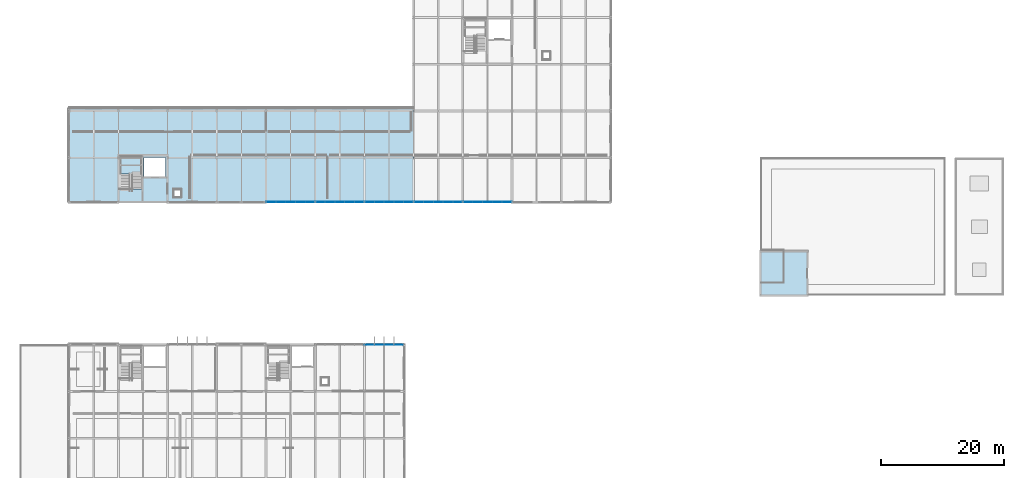
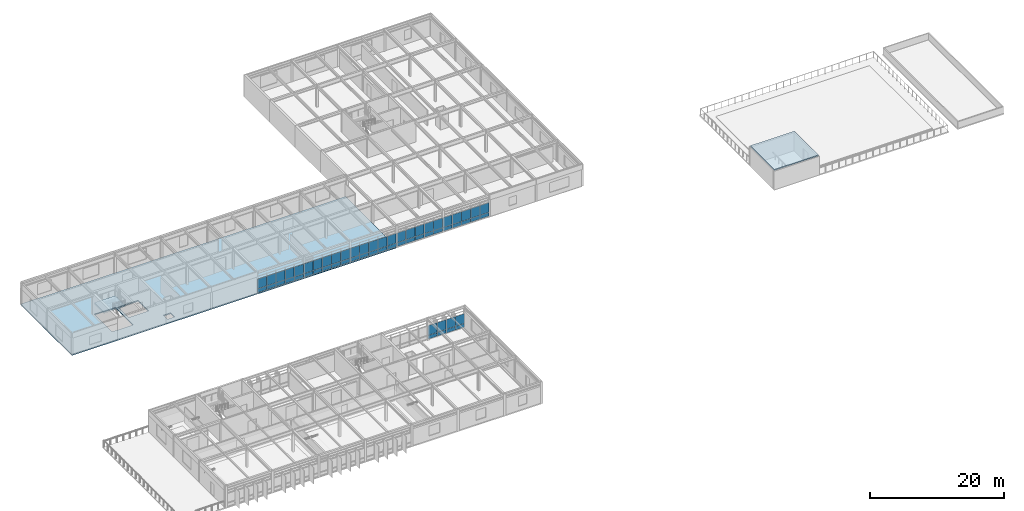
# One storey, part 29 of 45: 58 plates, 3 slabs, 7 elements without a shape of their own.
"""IFC4 building model written with IfcOpenShell, lengths in metres."""

from ifc_helpers import new_model, si_unit, direction, frame, origin, origin_2d, place, context, subcontext, project, spatial, polyline, rectangle, outline, extrude, material, layer, layer_set, type_object, element, aggregate, save


model = new_model("IFC4")

# Units and contexts
model_context = context("Model", 3, precision=1e-05, world=origin(), true_north=direction((0.0, 1.0)))
body_context = subcontext(model_context, "Body", "Model", "MODEL_VIEW")
ifc_project = project(units=[si_unit("LENGTHUNIT", "METRE"), si_unit("AREAUNIT", "SQUARE_METRE"), si_unit("VOLUMEUNIT", "CUBIC_METRE"), si_unit("PLANEANGLEUNIT", "RADIAN"), si_unit("MASSUNIT", "GRAM", prefix="KILO")], contexts=[model_context])

# Site, building, storey
site_placement = place(None, origin())
site = spatial("IfcSite", under=ifc_project, at=site_placement, CompositionType="ELEMENT")
building_placement = place(site_placement, origin())
building = spatial("IfcBuilding", under=site, at=building_placement, Name="Zulena Civic Courthouse", CompositionType="ELEMENT")
storey_placement = place(building_placement, frame((0.0, 0.0, 29.39990234375)))
storey = spatial("IfcBuildingStorey", under=building, at=storey_placement, Name="L06", CompositionType="ELEMENT", Elevation=29.39990234375)

# Curtain wall, plates
ifc_material_1 = material(Name="Double-silver low-E laminated solar-control glass", Category="glass")
curtain_wall_type_1 = type_object("IfcCurtainWallType", Name="CW_6352x3090", PredefinedType="USERDEFINED", material=ifc_material_1)
curtain_wall_1_placement = place(storey_placement, origin())
curtain_wall_1 = element("IfcCurtainWall", 1, at=curtain_wall_1_placement, inside=storey, type_object=curtain_wall_type_1, Name="cw:V2:L06:1:6", ObjectType="UNITISED CURTAIN WALL", PredefinedType="USERDEFINED")
ifc_material_2 = material(Name="Ceramic-fritted insulated spandrel glass", Category="glass")
ifc_layer_1 = layer(ifc_material_2, 0.0458984375)
ifc_layer_set_1 = layer_set([ifc_layer_1], Name="Ceramic-fritted insulated spandrel glass")
plate_type_1 = type_object("IfcPlateType", Name="CWPanel_Spandrel_46", PredefinedType="CURTAIN_PANEL", material=ifc_layer_set_1)
plate_1_placement = place(storey_placement, frame((60.818115234375, 22.800048828125, 0.070068359375), z_axis=(0.0, 0.0, 1.0), x_axis=(1.0, 0.0, 0.0)))
plate_1 = element("IfcPlate", 2, at=plate_1_placement, type_object=plate_type_1, Name="cw:V2:L06:1:6:panS:0", PredefinedType="CURTAIN_PANEL", context=body_context, shape_type="SweptSolid", body=[
    extrude(rectangle(XDim=1.5380859375, YDim=0.0458984375, at=origin_2d()), origin(), (0.0, 0.0, 1.0), 0.669921875),
])
plate_2_placement = place(storey_placement, frame((62.406005859375, 22.800048828125, 0.070068359375), z_axis=(0.0, 0.0, 1.0), x_axis=(1.0, 0.0, 0.0)))
plate_2 = element("IfcPlate", 3, at=plate_2_placement, type_object=plate_type_1, Name="cw:V2:L06:1:6:panS:1", PredefinedType="CURTAIN_PANEL", context=body_context, shape_type="SweptSolid", body=[
    extrude(rectangle(XDim=1.5380859375, YDim=0.0458984375, at=origin_2d()), origin(), (0.0, 0.0, 1.0), 0.669921875),
])
plate_3_placement = place(storey_placement, frame((63.993896484375, 22.800048828125, 0.070068359375), z_axis=(0.0, 0.0, 1.0), x_axis=(1.0, 0.0, 0.0)))
plate_3 = element("IfcPlate", 4, at=plate_3_placement, type_object=plate_type_1, Name="cw:V2:L06:1:6:panS:2", PredefinedType="CURTAIN_PANEL", context=body_context, shape_type="SweptSolid", body=[
    extrude(rectangle(XDim=1.5380859375, YDim=0.0458984375, at=origin_2d()), origin(), (0.0, 0.0, 1.0), 0.669921875),
])
plate_4_placement = place(storey_placement, frame((65.58203125, 22.800048828125, 0.070068359375), z_axis=(0.0, 0.0, 1.0), x_axis=(1.0, 0.0, 0.0)))
plate_4 = element("IfcPlate", 5, at=plate_4_placement, type_object=plate_type_1, Name="cw:V2:L06:1:6:panS:3", PredefinedType="CURTAIN_PANEL", context=body_context, shape_type="SweptSolid", body=[
    extrude(rectangle(XDim=1.5380859375, YDim=0.0458984375, at=origin_2d()), origin(), (0.0, 0.0, 1.0), 0.669921875),
])

curtain_wall_type_2 = type_object("IfcCurtainWallType", Name="CW_7952x3090", PredefinedType="USERDEFINED", material=ifc_material_1)
curtain_wall_2_placement = place(storey_placement, origin())
curtain_wall_2 = element("IfcCurtainWall", 6, at=curtain_wall_2_placement, inside=storey, type_object=curtain_wall_type_2, Name="cw:V5:L06:5:2", ObjectType="UNITISED CURTAIN WALL", PredefinedType="USERDEFINED")
plate_5_placement = place(storey_placement, frame((83.180908203125, 46.0, 0.070068359375), z_axis=(0.0, 0.0, 1.0), x_axis=(-1.0, 0.0, 0.0)))
plate_5 = element("IfcPlate", 7, at=plate_5_placement, type_object=plate_type_1, Name="cw:V5:L06:5:2:panS:0", PredefinedType="CURTAIN_PANEL", context=body_context, shape_type="SweptSolid", body=[
    extrude(rectangle(XDim=1.5400390625, YDim=0.0458984375, at=origin_2d()), origin(), (0.0, 0.0, 1.0), 0.669921875),
])
plate_6_placement = place(storey_placement, frame((81.59033203125, 46.0, 0.070068359375), z_axis=(0.0, 0.0, 1.0), x_axis=(-1.0, 0.0, 0.0)))
plate_6 = element("IfcPlate", 8, at=plate_6_placement, type_object=plate_type_1, Name="cw:V5:L06:5:2:panS:1", PredefinedType="CURTAIN_PANEL", context=body_context, shape_type="SweptSolid", body=[
    extrude(rectangle(XDim=1.5400390625, YDim=0.0458984375, at=origin_2d()), origin(), (0.0, 0.0, 1.0), 0.669921875),
])
plate_7_placement = place(storey_placement, frame((80.0, 46.0, 0.070068359375), z_axis=(0.0, 0.0, 1.0), x_axis=(-1.0, 0.0, 0.0)))
plate_7 = element("IfcPlate", 9, at=plate_7_placement, type_object=plate_type_1, Name="cw:V5:L06:5:2:panS:2", PredefinedType="CURTAIN_PANEL", context=body_context, shape_type="SweptSolid", body=[
    extrude(rectangle(XDim=1.5400390625, YDim=0.0458984375, at=origin_2d()), origin(), (0.0, 0.0, 1.0), 0.669921875),
])
plate_8_placement = place(storey_placement, frame((78.40966796875, 46.0, 0.070068359375), z_axis=(0.0, 0.0, 1.0), x_axis=(-1.0, 0.0, 0.0)))
plate_8 = element("IfcPlate", 10, at=plate_8_placement, type_object=plate_type_1, Name="cw:V5:L06:5:2:panS:3", PredefinedType="CURTAIN_PANEL", context=body_context, shape_type="SweptSolid", body=[
    extrude(rectangle(XDim=1.5400390625, YDim=0.0458984375, at=origin_2d()), origin(), (0.0, 0.0, 1.0), 0.669921875),
])
plate_9_placement = place(storey_placement, frame((76.819091796875, 46.0, 0.070068359375), z_axis=(0.0, 0.0, 1.0), x_axis=(-1.0, 0.0, 0.0)))
plate_9 = element("IfcPlate", 11, at=plate_9_placement, type_object=plate_type_1, Name="cw:V5:L06:5:2:panS:4", PredefinedType="CURTAIN_PANEL", context=body_context, shape_type="SweptSolid", body=[
    extrude(rectangle(XDim=1.5400390625, YDim=0.0458984375, at=origin_2d()), origin(), (0.0, 0.0, 1.0), 0.669921875),
])

curtain_wall_3_placement = place(storey_placement, origin())
curtain_wall_3 = element("IfcCurtainWall", 12, at=curtain_wall_3_placement, inside=storey, type_object=curtain_wall_type_2, Name="cw:V5:L06:5:3", ObjectType="UNITISED CURTAIN WALL", PredefinedType="USERDEFINED")
plate_10_placement = place(storey_placement, frame((75.180908203125, 46.0, 0.070068359375), z_axis=(0.0, 0.0, 1.0), x_axis=(-1.0, 0.0, 0.0)))
plate_10 = element("IfcPlate", 13, at=plate_10_placement, type_object=plate_type_1, Name="cw:V5:L06:5:3:panS:0", PredefinedType="CURTAIN_PANEL", context=body_context, shape_type="SweptSolid", body=[
    extrude(rectangle(XDim=1.5400390625, YDim=0.0458984375, at=origin_2d()), origin(), (0.0, 0.0, 1.0), 0.669921875),
])
plate_11_placement = place(storey_placement, frame((73.59033203125, 46.0, 0.070068359375), z_axis=(0.0, 0.0, 1.0), x_axis=(-1.0, 0.0, 0.0)))
plate_11 = element("IfcPlate", 14, at=plate_11_placement, type_object=plate_type_1, Name="cw:V5:L06:5:3:panS:1", PredefinedType="CURTAIN_PANEL", context=body_context, shape_type="SweptSolid", body=[
    extrude(rectangle(XDim=1.5400390625, YDim=0.0458984375, at=origin_2d()), origin(), (0.0, 0.0, 1.0), 0.669921875),
])
plate_12_placement = place(storey_placement, frame((72.0, 46.0, 0.070068359375), z_axis=(0.0, 0.0, 1.0), x_axis=(-1.0, 0.0, 0.0)))
plate_12 = element("IfcPlate", 15, at=plate_12_placement, type_object=plate_type_1, Name="cw:V5:L06:5:3:panS:2", PredefinedType="CURTAIN_PANEL", context=body_context, shape_type="SweptSolid", body=[
    extrude(rectangle(XDim=1.5400390625, YDim=0.0458984375, at=origin_2d()), origin(), (0.0, 0.0, 1.0), 0.669921875),
])
plate_13_placement = place(storey_placement, frame((70.40966796875, 46.0, 0.070068359375), z_axis=(0.0, 0.0, 1.0), x_axis=(-1.0, 0.0, 0.0)))
plate_13 = element("IfcPlate", 16, at=plate_13_placement, type_object=plate_type_1, Name="cw:V5:L06:5:3:panS:3", PredefinedType="CURTAIN_PANEL", context=body_context, shape_type="SweptSolid", body=[
    extrude(rectangle(XDim=1.5400390625, YDim=0.0458984375, at=origin_2d()), origin(), (0.0, 0.0, 1.0), 0.669921875),
])
plate_14_placement = place(storey_placement, frame((68.819091796875, 46.0, 0.070068359375), z_axis=(0.0, 0.0, 1.0), x_axis=(-1.0, 0.0, 0.0)))
plate_14 = element("IfcPlate", 17, at=plate_14_placement, type_object=plate_type_1, Name="cw:V5:L06:5:3:panS:4", PredefinedType="CURTAIN_PANEL", context=body_context, shape_type="SweptSolid", body=[
    extrude(rectangle(XDim=1.5400390625, YDim=0.0458984375, at=origin_2d()), origin(), (0.0, 0.0, 1.0), 0.669921875),
])

curtain_wall_4_placement = place(storey_placement, origin())
curtain_wall_4 = element("IfcCurtainWall", 18, at=curtain_wall_4_placement, inside=storey, type_object=curtain_wall_type_2, Name="cw:V5:L06:5:4", ObjectType="UNITISED CURTAIN WALL", PredefinedType="USERDEFINED")
plate_15_placement = place(storey_placement, frame((67.180908203125, 46.0, 0.070068359375), z_axis=(0.0, 0.0, 1.0), x_axis=(-1.0, 0.0, 0.0)))
plate_15 = element("IfcPlate", 19, at=plate_15_placement, type_object=plate_type_1, Name="cw:V5:L06:5:4:panS:0", PredefinedType="CURTAIN_PANEL", context=body_context, shape_type="SweptSolid", body=[
    extrude(rectangle(XDim=1.5400390625, YDim=0.0458984375, at=origin_2d()), origin(), (0.0, 0.0, 1.0), 0.669921875),
])
plate_16_placement = place(storey_placement, frame((65.59033203125, 46.0, 0.070068359375), z_axis=(0.0, 0.0, 1.0), x_axis=(-1.0, 0.0, 0.0)))
plate_16 = element("IfcPlate", 20, at=plate_16_placement, type_object=plate_type_1, Name="cw:V5:L06:5:4:panS:1", PredefinedType="CURTAIN_PANEL", context=body_context, shape_type="SweptSolid", body=[
    extrude(rectangle(XDim=1.5400390625, YDim=0.0458984375, at=origin_2d()), origin(), (0.0, 0.0, 1.0), 0.669921875),
])
plate_17_placement = place(storey_placement, frame((64.0, 46.0, 0.070068359375), z_axis=(0.0, 0.0, 1.0), x_axis=(-1.0, 0.0, 0.0)))
plate_17 = element("IfcPlate", 21, at=plate_17_placement, type_object=plate_type_1, Name="cw:V5:L06:5:4:panS:2", PredefinedType="CURTAIN_PANEL", context=body_context, shape_type="SweptSolid", body=[
    extrude(rectangle(XDim=1.5400390625, YDim=0.0458984375, at=origin_2d()), origin(), (0.0, 0.0, 1.0), 0.669921875),
])
plate_18_placement = place(storey_placement, frame((62.40966796875, 46.0, 0.070068359375), z_axis=(0.0, 0.0, 1.0), x_axis=(-1.0, 0.0, 0.0)))
plate_18 = element("IfcPlate", 22, at=plate_18_placement, type_object=plate_type_1, Name="cw:V5:L06:5:4:panS:3", PredefinedType="CURTAIN_PANEL", context=body_context, shape_type="SweptSolid", body=[
    extrude(rectangle(XDim=1.5400390625, YDim=0.0458984375, at=origin_2d()), origin(), (0.0, 0.0, 1.0), 0.669921875),
])
plate_19_placement = place(storey_placement, frame((60.819091796875, 46.0, 0.070068359375), z_axis=(0.0, 0.0, 1.0), x_axis=(-1.0, 0.0, 0.0)))
plate_19 = element("IfcPlate", 23, at=plate_19_placement, type_object=plate_type_1, Name="cw:V5:L06:5:4:panS:4", PredefinedType="CURTAIN_PANEL", context=body_context, shape_type="SweptSolid", body=[
    extrude(rectangle(XDim=1.5400390625, YDim=0.0458984375, at=origin_2d()), origin(), (0.0, 0.0, 1.0), 0.669921875),
])

curtain_wall_5_placement = place(storey_placement, origin())
curtain_wall_5 = element("IfcCurtainWall", 24, at=curtain_wall_5_placement, inside=storey, type_object=curtain_wall_type_2, Name="cw:V5:L06:5:5", ObjectType="UNITISED CURTAIN WALL", PredefinedType="USERDEFINED")
plate_20_placement = place(storey_placement, frame((59.180908203125, 46.0, 0.070068359375), z_axis=(0.0, 0.0, 1.0), x_axis=(-1.0, 0.0, 0.0)))
plate_20 = element("IfcPlate", 25, at=plate_20_placement, type_object=plate_type_1, Name="cw:V5:L06:5:5:panS:0", PredefinedType="CURTAIN_PANEL", context=body_context, shape_type="SweptSolid", body=[
    extrude(rectangle(XDim=1.5400390625, YDim=0.0458984375, at=origin_2d()), origin(), (0.0, 0.0, 1.0), 0.669921875),
])
plate_21_placement = place(storey_placement, frame((57.59033203125, 46.0, 0.070068359375), z_axis=(0.0, 0.0, 1.0), x_axis=(-1.0, 0.0, 0.0)))
plate_21 = element("IfcPlate", 26, at=plate_21_placement, type_object=plate_type_1, Name="cw:V5:L06:5:5:panS:1", PredefinedType="CURTAIN_PANEL", context=body_context, shape_type="SweptSolid", body=[
    extrude(rectangle(XDim=1.5400390625, YDim=0.0458984375, at=origin_2d()), origin(), (0.0, 0.0, 1.0), 0.669921875),
])
plate_22_placement = place(storey_placement, frame((56.0, 46.0, 0.070068359375), z_axis=(0.0, 0.0, 1.0), x_axis=(-1.0, 0.0, 0.0)))
plate_22 = element("IfcPlate", 27, at=plate_22_placement, type_object=plate_type_1, Name="cw:V5:L06:5:5:panS:2", PredefinedType="CURTAIN_PANEL", context=body_context, shape_type="SweptSolid", body=[
    extrude(rectangle(XDim=1.5400390625, YDim=0.0458984375, at=origin_2d()), origin(), (0.0, 0.0, 1.0), 0.669921875),
])
plate_23_placement = place(storey_placement, frame((54.40966796875, 46.0, 0.070068359375), z_axis=(0.0, 0.0, 1.0), x_axis=(-1.0, 0.0, 0.0)))
plate_23 = element("IfcPlate", 28, at=plate_23_placement, type_object=plate_type_1, Name="cw:V5:L06:5:5:panS:3", PredefinedType="CURTAIN_PANEL", context=body_context, shape_type="SweptSolid", body=[
    extrude(rectangle(XDim=1.5400390625, YDim=0.0458984375, at=origin_2d()), origin(), (0.0, 0.0, 1.0), 0.669921875),
])
plate_24_placement = place(storey_placement, frame((52.819091796875, 46.0, 0.070068359375), z_axis=(0.0, 0.0, 1.0), x_axis=(-1.0, 0.0, 0.0)))
plate_24 = element("IfcPlate", 29, at=plate_24_placement, type_object=plate_type_1, Name="cw:V5:L06:5:5:panS:4", PredefinedType="CURTAIN_PANEL", context=body_context, shape_type="SweptSolid", body=[
    extrude(rectangle(XDim=1.5400390625, YDim=0.0458984375, at=origin_2d()), origin(), (0.0, 0.0, 1.0), 0.669921875),
])

curtain_wall_6_placement = place(storey_placement, origin())
curtain_wall_6 = element("IfcCurtainWall", 30, at=curtain_wall_6_placement, inside=storey, type_object=curtain_wall_type_2, Name="cw:V5:L06:5:6", ObjectType="UNITISED CURTAIN WALL", PredefinedType="USERDEFINED")
plate_25_placement = place(storey_placement, frame((51.180908203125, 46.0, 0.070068359375), z_axis=(0.0, 0.0, 1.0), x_axis=(-1.0, 0.0, 0.0)))
plate_25 = element("IfcPlate", 31, at=plate_25_placement, type_object=plate_type_1, Name="cw:V5:L06:5:6:panS:0", PredefinedType="CURTAIN_PANEL", context=body_context, shape_type="SweptSolid", body=[
    extrude(rectangle(XDim=1.5400390625, YDim=0.0458984375, at=origin_2d()), origin(), (0.0, 0.0, 1.0), 0.669921875),
])
plate_26_placement = place(storey_placement, frame((49.59033203125, 46.0, 0.070068359375), z_axis=(0.0, 0.0, 1.0), x_axis=(-1.0, 0.0, 0.0)))
plate_26 = element("IfcPlate", 32, at=plate_26_placement, type_object=plate_type_1, Name="cw:V5:L06:5:6:panS:1", PredefinedType="CURTAIN_PANEL", context=body_context, shape_type="SweptSolid", body=[
    extrude(rectangle(XDim=1.5400390625, YDim=0.0458984375, at=origin_2d()), origin(), (0.0, 0.0, 1.0), 0.669921875),
])
plate_27_placement = place(storey_placement, frame((48.0, 46.0, 0.070068359375), z_axis=(0.0, 0.0, 1.0), x_axis=(-1.0, 0.0, 0.0)))
plate_27 = element("IfcPlate", 33, at=plate_27_placement, type_object=plate_type_1, Name="cw:V5:L06:5:6:panS:2", PredefinedType="CURTAIN_PANEL", context=body_context, shape_type="SweptSolid", body=[
    extrude(rectangle(XDim=1.5400390625, YDim=0.0458984375, at=origin_2d()), origin(), (0.0, 0.0, 1.0), 0.669921875),
])
plate_28_placement = place(storey_placement, frame((46.40966796875, 46.0, 0.070068359375), z_axis=(0.0, 0.0, 1.0), x_axis=(-1.0, 0.0, 0.0)))
plate_28 = element("IfcPlate", 34, at=plate_28_placement, type_object=plate_type_1, Name="cw:V5:L06:5:6:panS:3", PredefinedType="CURTAIN_PANEL", context=body_context, shape_type="SweptSolid", body=[
    extrude(rectangle(XDim=1.5400390625, YDim=0.0458984375, at=origin_2d()), origin(), (0.0, 0.0, 1.0), 0.669921875),
])
plate_29_placement = place(storey_placement, frame((44.819091796875, 46.0, 0.070068359375), z_axis=(0.0, 0.0, 1.0), x_axis=(-1.0, 0.0, 0.0)))
plate_29 = element("IfcPlate", 35, at=plate_29_placement, type_object=plate_type_1, Name="cw:V5:L06:5:6:panS:4", PredefinedType="CURTAIN_PANEL", context=body_context, shape_type="SweptSolid", body=[
    extrude(rectangle(XDim=1.5400390625, YDim=0.0458984375, at=origin_2d()), origin(), (0.0, 0.0, 1.0), 0.669921875),
])

# Plate
ifc_layer_2 = layer(ifc_material_1, 0.035888671875)
ifc_layer_set_2 = layer_set([ifc_layer_2], Name="Double-silver low-E laminated solar-control glass")
plate_type_2 = type_object("IfcPlateType", Name="CWPanel_Vision_36", PredefinedType="CURTAIN_PANEL", material=ifc_layer_set_2)
plate_30_placement = place(storey_placement, frame((60.818115234375, 22.800048828125, 0.760009765625), z_axis=(0.0, 0.0, 1.0), x_axis=(1.0, 0.0, 0.0)))
plate_30 = element("IfcPlate", 36, at=plate_30_placement, type_object=plate_type_2, Name="cw:V2:L06:1:6:panV:0", PredefinedType="CURTAIN_PANEL", context=body_context, shape_type="SweptSolid", body=[
    extrude(rectangle(XDim=1.5380859375, YDim=0.035888671875, at=origin_2d()), origin(), (0.0, 0.0, 1.0), 1.77001953125),
])

plate_31_placement = place(storey_placement, frame((62.406005859375, 22.800048828125, 0.760009765625), z_axis=(0.0, 0.0, 1.0), x_axis=(1.0, 0.0, 0.0)))
plate_31 = element("IfcPlate", 37, at=plate_31_placement, type_object=plate_type_2, Name="cw:V2:L06:1:6:panV:1", PredefinedType="CURTAIN_PANEL", context=body_context, shape_type="SweptSolid", body=[
    extrude(rectangle(XDim=1.5380859375, YDim=0.035888671875, at=origin_2d()), origin(), (0.0, 0.0, 1.0), 1.77001953125),
])

plate_32_placement = place(storey_placement, frame((63.993896484375, 22.800048828125, 0.760009765625), z_axis=(0.0, 0.0, 1.0), x_axis=(1.0, 0.0, 0.0)))
plate_32 = element("IfcPlate", 38, at=plate_32_placement, type_object=plate_type_2, Name="cw:V2:L06:1:6:panV:2", PredefinedType="CURTAIN_PANEL", context=body_context, shape_type="SweptSolid", body=[
    extrude(rectangle(XDim=1.5380859375, YDim=0.035888671875, at=origin_2d()), origin(), (0.0, 0.0, 1.0), 1.77001953125),
])

plate_33_placement = place(storey_placement, frame((65.58203125, 22.800048828125, 0.760009765625), z_axis=(0.0, 0.0, 1.0), x_axis=(1.0, 0.0, 0.0)))
plate_33 = element("IfcPlate", 39, at=plate_33_placement, type_object=plate_type_2, Name="cw:V2:L06:1:6:panV:3", PredefinedType="CURTAIN_PANEL", context=body_context, shape_type="SweptSolid", body=[
    extrude(rectangle(XDim=1.5380859375, YDim=0.035888671875, at=origin_2d()), origin(), (0.0, 0.0, 1.0), 1.77001953125),
])

aggregate(curtain_wall_1, [plate_30, plate_1, plate_31, plate_2, plate_32, plate_3, plate_33, plate_4])

plate_34_placement = place(storey_placement, frame((83.180908203125, 46.0, 0.760009765625), z_axis=(0.0, 0.0, 1.0), x_axis=(-1.0, 0.0, 0.0)))
plate_34 = element("IfcPlate", 40, at=plate_34_placement, type_object=plate_type_2, Name="cw:V5:L06:5:2:panV:0", PredefinedType="CURTAIN_PANEL", context=body_context, shape_type="SweptSolid", body=[
    extrude(rectangle(XDim=1.5400390625, YDim=0.035888671875, at=origin_2d()), origin(), (0.0, 0.0, 1.0), 1.77001953125),
])

plate_35_placement = place(storey_placement, frame((81.59033203125, 46.0, 0.760009765625), z_axis=(0.0, 0.0, 1.0), x_axis=(-1.0, 0.0, 0.0)))
plate_35 = element("IfcPlate", 41, at=plate_35_placement, type_object=plate_type_2, Name="cw:V5:L06:5:2:panV:1", PredefinedType="CURTAIN_PANEL", context=body_context, shape_type="SweptSolid", body=[
    extrude(rectangle(XDim=1.5400390625, YDim=0.035888671875, at=origin_2d()), origin(), (0.0, 0.0, 1.0), 1.77001953125),
])

plate_36_placement = place(storey_placement, frame((80.0, 46.0, 0.760009765625), z_axis=(0.0, 0.0, 1.0), x_axis=(-1.0, 0.0, 0.0)))
plate_36 = element("IfcPlate", 42, at=plate_36_placement, type_object=plate_type_2, Name="cw:V5:L06:5:2:panV:2", PredefinedType="CURTAIN_PANEL", context=body_context, shape_type="SweptSolid", body=[
    extrude(rectangle(XDim=1.5400390625, YDim=0.035888671875, at=origin_2d()), origin(), (0.0, 0.0, 1.0), 1.77001953125),
])

plate_37_placement = place(storey_placement, frame((78.40966796875, 46.0, 0.760009765625), z_axis=(0.0, 0.0, 1.0), x_axis=(-1.0, 0.0, 0.0)))
plate_37 = element("IfcPlate", 43, at=plate_37_placement, type_object=plate_type_2, Name="cw:V5:L06:5:2:panV:3", PredefinedType="CURTAIN_PANEL", context=body_context, shape_type="SweptSolid", body=[
    extrude(rectangle(XDim=1.5400390625, YDim=0.035888671875, at=origin_2d()), origin(), (0.0, 0.0, 1.0), 1.77001953125),
])

plate_38_placement = place(storey_placement, frame((76.819091796875, 46.0, 0.760009765625), z_axis=(0.0, 0.0, 1.0), x_axis=(-1.0, 0.0, 0.0)))
plate_38 = element("IfcPlate", 44, at=plate_38_placement, type_object=plate_type_2, Name="cw:V5:L06:5:2:panV:4", PredefinedType="CURTAIN_PANEL", context=body_context, shape_type="SweptSolid", body=[
    extrude(rectangle(XDim=1.5400390625, YDim=0.035888671875, at=origin_2d()), origin(), (0.0, 0.0, 1.0), 1.77001953125),
])

aggregate(curtain_wall_2, [plate_34, plate_5, plate_35, plate_6, plate_36, plate_7, plate_37, plate_8, plate_38, plate_9])

plate_39_placement = place(storey_placement, frame((75.180908203125, 46.0, 0.760009765625), z_axis=(0.0, 0.0, 1.0), x_axis=(-1.0, 0.0, 0.0)))
plate_39 = element("IfcPlate", 45, at=plate_39_placement, type_object=plate_type_2, Name="cw:V5:L06:5:3:panV:0", PredefinedType="CURTAIN_PANEL", context=body_context, shape_type="SweptSolid", body=[
    extrude(rectangle(XDim=1.5400390625, YDim=0.035888671875, at=origin_2d()), origin(), (0.0, 0.0, 1.0), 1.77001953125),
])

plate_40_placement = place(storey_placement, frame((73.59033203125, 46.0, 0.760009765625), z_axis=(0.0, 0.0, 1.0), x_axis=(-1.0, 0.0, 0.0)))
plate_40 = element("IfcPlate", 46, at=plate_40_placement, type_object=plate_type_2, Name="cw:V5:L06:5:3:panV:1", PredefinedType="CURTAIN_PANEL", context=body_context, shape_type="SweptSolid", body=[
    extrude(rectangle(XDim=1.5400390625, YDim=0.035888671875, at=origin_2d()), origin(), (0.0, 0.0, 1.0), 1.77001953125),
])

plate_41_placement = place(storey_placement, frame((72.0, 46.0, 0.760009765625), z_axis=(0.0, 0.0, 1.0), x_axis=(-1.0, 0.0, 0.0)))
plate_41 = element("IfcPlate", 47, at=plate_41_placement, type_object=plate_type_2, Name="cw:V5:L06:5:3:panV:2", PredefinedType="CURTAIN_PANEL", context=body_context, shape_type="SweptSolid", body=[
    extrude(rectangle(XDim=1.5400390625, YDim=0.035888671875, at=origin_2d()), origin(), (0.0, 0.0, 1.0), 1.77001953125),
])

plate_42_placement = place(storey_placement, frame((70.40966796875, 46.0, 0.760009765625), z_axis=(0.0, 0.0, 1.0), x_axis=(-1.0, 0.0, 0.0)))
plate_42 = element("IfcPlate", 48, at=plate_42_placement, type_object=plate_type_2, Name="cw:V5:L06:5:3:panV:3", PredefinedType="CURTAIN_PANEL", context=body_context, shape_type="SweptSolid", body=[
    extrude(rectangle(XDim=1.5400390625, YDim=0.035888671875, at=origin_2d()), origin(), (0.0, 0.0, 1.0), 1.77001953125),
])

plate_43_placement = place(storey_placement, frame((68.819091796875, 46.0, 0.760009765625), z_axis=(0.0, 0.0, 1.0), x_axis=(-1.0, 0.0, 0.0)))
plate_43 = element("IfcPlate", 49, at=plate_43_placement, type_object=plate_type_2, Name="cw:V5:L06:5:3:panV:4", PredefinedType="CURTAIN_PANEL", context=body_context, shape_type="SweptSolid", body=[
    extrude(rectangle(XDim=1.5400390625, YDim=0.035888671875, at=origin_2d()), origin(), (0.0, 0.0, 1.0), 1.77001953125),
])

aggregate(curtain_wall_3, [plate_39, plate_10, plate_40, plate_11, plate_41, plate_12, plate_42, plate_13, plate_43, plate_14])

plate_44_placement = place(storey_placement, frame((67.180908203125, 46.0, 0.760009765625), z_axis=(0.0, 0.0, 1.0), x_axis=(-1.0, 0.0, 0.0)))
plate_44 = element("IfcPlate", 50, at=plate_44_placement, type_object=plate_type_2, Name="cw:V5:L06:5:4:panV:0", PredefinedType="CURTAIN_PANEL", context=body_context, shape_type="SweptSolid", body=[
    extrude(rectangle(XDim=1.5400390625, YDim=0.035888671875, at=origin_2d()), origin(), (0.0, 0.0, 1.0), 1.77001953125),
])

plate_45_placement = place(storey_placement, frame((65.59033203125, 46.0, 0.760009765625), z_axis=(0.0, 0.0, 1.0), x_axis=(-1.0, 0.0, 0.0)))
plate_45 = element("IfcPlate", 51, at=plate_45_placement, type_object=plate_type_2, Name="cw:V5:L06:5:4:panV:1", PredefinedType="CURTAIN_PANEL", context=body_context, shape_type="SweptSolid", body=[
    extrude(rectangle(XDim=1.5400390625, YDim=0.035888671875, at=origin_2d()), origin(), (0.0, 0.0, 1.0), 1.77001953125),
])

plate_46_placement = place(storey_placement, frame((64.0, 46.0, 0.760009765625), z_axis=(0.0, 0.0, 1.0), x_axis=(-1.0, 0.0, 0.0)))
plate_46 = element("IfcPlate", 52, at=plate_46_placement, type_object=plate_type_2, Name="cw:V5:L06:5:4:panV:2", PredefinedType="CURTAIN_PANEL", context=body_context, shape_type="SweptSolid", body=[
    extrude(rectangle(XDim=1.5400390625, YDim=0.035888671875, at=origin_2d()), origin(), (0.0, 0.0, 1.0), 1.77001953125),
])

plate_47_placement = place(storey_placement, frame((62.40966796875, 46.0, 0.760009765625), z_axis=(0.0, 0.0, 1.0), x_axis=(-1.0, 0.0, 0.0)))
plate_47 = element("IfcPlate", 53, at=plate_47_placement, type_object=plate_type_2, Name="cw:V5:L06:5:4:panV:3", PredefinedType="CURTAIN_PANEL", context=body_context, shape_type="SweptSolid", body=[
    extrude(rectangle(XDim=1.5400390625, YDim=0.035888671875, at=origin_2d()), origin(), (0.0, 0.0, 1.0), 1.77001953125),
])

plate_48_placement = place(storey_placement, frame((60.819091796875, 46.0, 0.760009765625), z_axis=(0.0, 0.0, 1.0), x_axis=(-1.0, 0.0, 0.0)))
plate_48 = element("IfcPlate", 54, at=plate_48_placement, type_object=plate_type_2, Name="cw:V5:L06:5:4:panV:4", PredefinedType="CURTAIN_PANEL", context=body_context, shape_type="SweptSolid", body=[
    extrude(rectangle(XDim=1.5400390625, YDim=0.035888671875, at=origin_2d()), origin(), (0.0, 0.0, 1.0), 1.77001953125),
])

aggregate(curtain_wall_4, [plate_44, plate_15, plate_45, plate_16, plate_46, plate_17, plate_47, plate_18, plate_48, plate_19])

plate_49_placement = place(storey_placement, frame((59.180908203125, 46.0, 0.760009765625), z_axis=(0.0, 0.0, 1.0), x_axis=(-1.0, 0.0, 0.0)))
plate_49 = element("IfcPlate", 55, at=plate_49_placement, type_object=plate_type_2, Name="cw:V5:L06:5:5:panV:0", PredefinedType="CURTAIN_PANEL", context=body_context, shape_type="SweptSolid", body=[
    extrude(rectangle(XDim=1.5400390625, YDim=0.035888671875, at=origin_2d()), origin(), (0.0, 0.0, 1.0), 1.77001953125),
])

plate_50_placement = place(storey_placement, frame((57.59033203125, 46.0, 0.760009765625), z_axis=(0.0, 0.0, 1.0), x_axis=(-1.0, 0.0, 0.0)))
plate_50 = element("IfcPlate", 56, at=plate_50_placement, type_object=plate_type_2, Name="cw:V5:L06:5:5:panV:1", PredefinedType="CURTAIN_PANEL", context=body_context, shape_type="SweptSolid", body=[
    extrude(rectangle(XDim=1.5400390625, YDim=0.035888671875, at=origin_2d()), origin(), (0.0, 0.0, 1.0), 1.77001953125),
])

plate_51_placement = place(storey_placement, frame((56.0, 46.0, 0.760009765625), z_axis=(0.0, 0.0, 1.0), x_axis=(-1.0, 0.0, 0.0)))
plate_51 = element("IfcPlate", 57, at=plate_51_placement, type_object=plate_type_2, Name="cw:V5:L06:5:5:panV:2", PredefinedType="CURTAIN_PANEL", context=body_context, shape_type="SweptSolid", body=[
    extrude(rectangle(XDim=1.5400390625, YDim=0.035888671875, at=origin_2d()), origin(), (0.0, 0.0, 1.0), 1.77001953125),
])

plate_52_placement = place(storey_placement, frame((54.40966796875, 46.0, 0.760009765625), z_axis=(0.0, 0.0, 1.0), x_axis=(-1.0, 0.0, 0.0)))
plate_52 = element("IfcPlate", 58, at=plate_52_placement, type_object=plate_type_2, Name="cw:V5:L06:5:5:panV:3", PredefinedType="CURTAIN_PANEL", context=body_context, shape_type="SweptSolid", body=[
    extrude(rectangle(XDim=1.5400390625, YDim=0.035888671875, at=origin_2d()), origin(), (0.0, 0.0, 1.0), 1.77001953125),
])

plate_53_placement = place(storey_placement, frame((52.819091796875, 46.0, 0.760009765625), z_axis=(0.0, 0.0, 1.0), x_axis=(-1.0, 0.0, 0.0)))
plate_53 = element("IfcPlate", 59, at=plate_53_placement, type_object=plate_type_2, Name="cw:V5:L06:5:5:panV:4", PredefinedType="CURTAIN_PANEL", context=body_context, shape_type="SweptSolid", body=[
    extrude(rectangle(XDim=1.5400390625, YDim=0.035888671875, at=origin_2d()), origin(), (0.0, 0.0, 1.0), 1.77001953125),
])

aggregate(curtain_wall_5, [plate_49, plate_20, plate_50, plate_21, plate_51, plate_22, plate_52, plate_23, plate_53, plate_24])

plate_54_placement = place(storey_placement, frame((51.180908203125, 46.0, 0.760009765625), z_axis=(0.0, 0.0, 1.0), x_axis=(-1.0, 0.0, 0.0)))
plate_54 = element("IfcPlate", 60, at=plate_54_placement, type_object=plate_type_2, Name="cw:V5:L06:5:6:panV:0", PredefinedType="CURTAIN_PANEL", context=body_context, shape_type="SweptSolid", body=[
    extrude(rectangle(XDim=1.5400390625, YDim=0.035888671875, at=origin_2d()), origin(), (0.0, 0.0, 1.0), 1.77001953125),
])

plate_55_placement = place(storey_placement, frame((49.59033203125, 46.0, 0.760009765625), z_axis=(0.0, 0.0, 1.0), x_axis=(-1.0, 0.0, 0.0)))
plate_55 = element("IfcPlate", 61, at=plate_55_placement, type_object=plate_type_2, Name="cw:V5:L06:5:6:panV:1", PredefinedType="CURTAIN_PANEL", context=body_context, shape_type="SweptSolid", body=[
    extrude(rectangle(XDim=1.5400390625, YDim=0.035888671875, at=origin_2d()), origin(), (0.0, 0.0, 1.0), 1.77001953125),
])

plate_56_placement = place(storey_placement, frame((48.0, 46.0, 0.760009765625), z_axis=(0.0, 0.0, 1.0), x_axis=(-1.0, 0.0, 0.0)))
plate_56 = element("IfcPlate", 62, at=plate_56_placement, type_object=plate_type_2, Name="cw:V5:L06:5:6:panV:2", PredefinedType="CURTAIN_PANEL", context=body_context, shape_type="SweptSolid", body=[
    extrude(rectangle(XDim=1.5400390625, YDim=0.035888671875, at=origin_2d()), origin(), (0.0, 0.0, 1.0), 1.77001953125),
])

plate_57_placement = place(storey_placement, frame((46.40966796875, 46.0, 0.760009765625), z_axis=(0.0, 0.0, 1.0), x_axis=(-1.0, 0.0, 0.0)))
plate_57 = element("IfcPlate", 63, at=plate_57_placement, type_object=plate_type_2, Name="cw:V5:L06:5:6:panV:3", PredefinedType="CURTAIN_PANEL", context=body_context, shape_type="SweptSolid", body=[
    extrude(rectangle(XDim=1.5400390625, YDim=0.035888671875, at=origin_2d()), origin(), (0.0, 0.0, 1.0), 1.77001953125),
])

plate_58_placement = place(storey_placement, frame((44.819091796875, 46.0, 0.760009765625), z_axis=(0.0, 0.0, 1.0), x_axis=(-1.0, 0.0, 0.0)))
plate_58 = element("IfcPlate", 64, at=plate_58_placement, type_object=plate_type_2, Name="cw:V5:L06:5:6:panV:4", PredefinedType="CURTAIN_PANEL", context=body_context, shape_type="SweptSolid", body=[
    extrude(rectangle(XDim=1.5400390625, YDim=0.035888671875, at=origin_2d()), origin(), (0.0, 0.0, 1.0), 1.77001953125),
])

aggregate(curtain_wall_6, [plate_54, plate_25, plate_55, plate_26, plate_56, plate_27, plate_57, plate_28, plate_58, plate_29])

# Slabs
ifc_material_3 = material(Name="Concrete C35/45", Category="concrete")
ifc_layer_3 = layer(ifc_material_3, 0.205078125)
ifc_layer_set_3 = layer_set([ifc_layer_3], Name="Concrete C35/45")
slab_type_1 = type_object("IfcSlabType", Name="FlatRoofSlab_205", PredefinedType="ROOF", material=ifc_layer_set_3)
slab_1_placement = place(storey_placement, frame((0.0, 0.0, 3.400146484375)))
element("IfcSlab", 65, at=slab_1_placement, inside=storey, type_object=slab_type_1, Name="slab:headhouse:TR-V3-L06", PredefinedType="ROOF", context=body_context, shape_type="SweptSolid", body=[
    extrude(outline(polyline([(124.39990234375, 30.800048828125), (132.0, 30.800048828125), (132.0, 38.0), (124.39990234375, 38.0), (124.39990234375, 30.800048828125)])), origin(), (0.0, 0.0, 1.0), 0.204833984375),
])
ifc_layer_4 = layer(ifc_material_3, 0.205078125)
ifc_layer_set_4 = layer_set([ifc_layer_4], Name="Concrete C35/45")
slab_type_2 = type_object("IfcSlabType", Name="FloorSlab_205", PredefinedType="FLOOR", material=ifc_layer_set_4)
slab_2_placement = place(storey_placement, frame((0.0, 0.0, -0.204833984375)))
element("IfcSlab", 66, at=slab_2_placement, inside=storey, type_object=slab_type_2, Name="slab:V5:L06_1", PredefinedType="FLOOR", context=body_context, shape_type="SweptSolid", body=[
    extrude(outline(polyline([(12.0, 61.199951171875), (68.0, 61.199951171875), (68.0, 46.0), (12.0, 46.0), (12.0, 61.199951171875)]), holes=[polyline([(20.18994140625, 53.409912109375), (20.18994140625, 48.1201171875), (23.81005859375, 48.1201171875), (23.81005859375, 53.409912109375), (20.18994140625, 53.409912109375)]), polyline([(27.64990234375, 53.25), (24.199951171875, 53.25), (24.199951171875, 50.10009765625), (27.64990234375, 50.10009765625), (27.64990234375, 53.25)]), polyline([(29.0, 48.0), (29.0, 46.800048828125), (30.199951171875, 46.800048828125), (30.199951171875, 48.0), (29.0, 48.0)])]), origin(), (0.0, 0.0, 1.0), 0.204833984375),
])

# Stair, slab
ifc_material_4 = material(Name="Precast concrete C40/50", Category="concrete")
stair_type = type_object("IfcStairType", Name="HalfTurnStair_4200", PredefinedType="HALF_TURN_STAIR", material=ifc_material_4)
stair_placement = place(storey_placement, origin())
stair = element("IfcStair", 67, at=stair_placement, inside=storey, type_object=stair_type, Name="stair:K5A:L06", PredefinedType="HALF_TURN_STAIR")
ifc_layer_5 = layer(ifc_material_4, 0.280029296875)
ifc_layer_set_5 = layer_set([ifc_layer_5], Name="Precast concrete C40/50")
slab_type_3 = type_object("IfcSlabType", Name="StairLandingSlab_280", PredefinedType="LANDING", material=ifc_layer_set_5)
slab_3_placement = place(storey_placement, frame((0.0, 0.0, 1.820068359375)))
slab_3 = element("IfcSlab", 68, at=slab_3_placement, type_object=slab_type_3, Name="stair:K5A:L06:LND", PredefinedType="LANDING", context=body_context, shape_type="SweptSolid", body=[
    extrude(outline(polyline([(20.179931640625, 50.584716796875), (23.820068359375, 50.584716796875), (23.820068359375, 53.419921875), (20.179931640625, 53.419921875), (20.179931640625, 50.584716796875)])), origin(), (0.0, 0.0, 1.0), 0.280029296875),
])
aggregate(stair, [slab_3])

save(model, "model.ifc")
